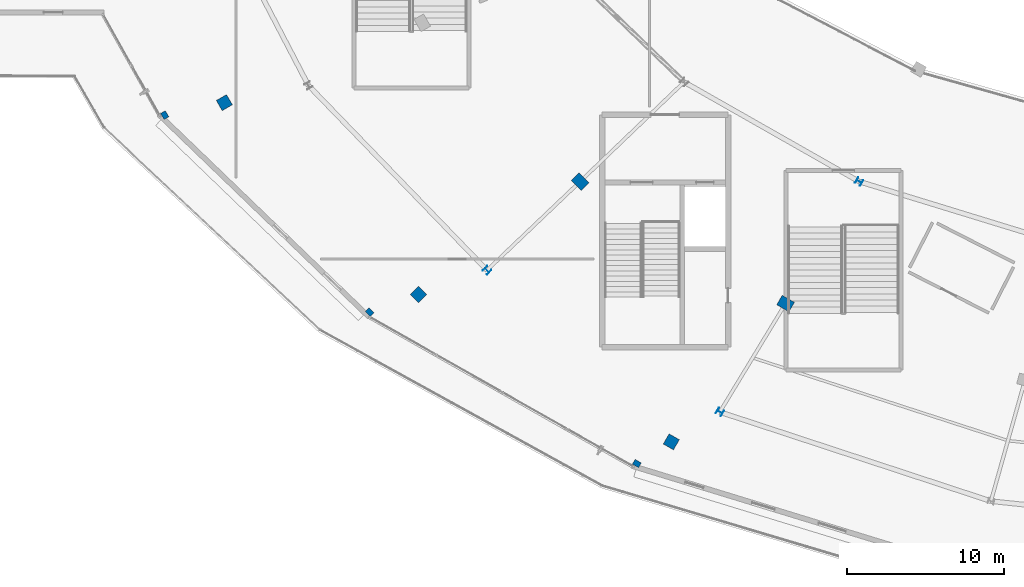
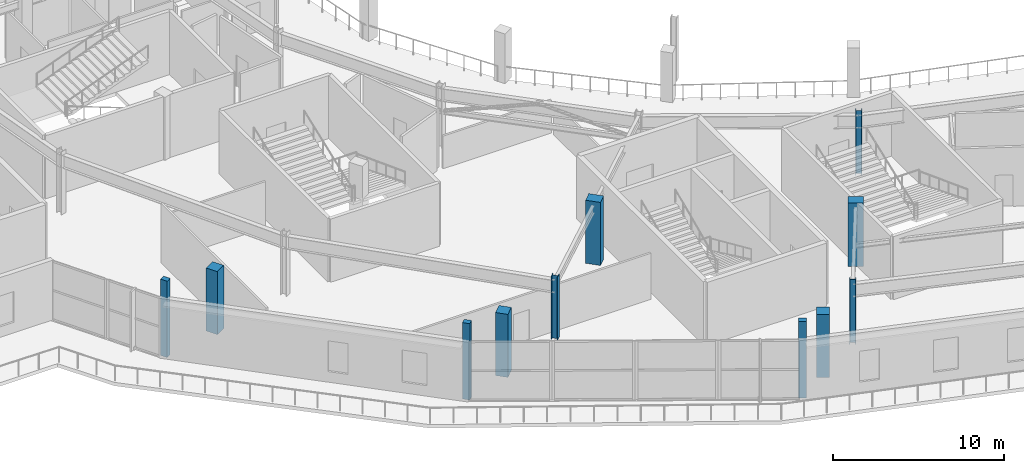
# One storey, part 1 of 123: 11 columns.
"""IFC4 building model written with IfcOpenShell, lengths in metres."""

from ifc_helpers import new_model, si_unit, direction, frame, origin, origin_2d, place, context, subcontext, project, spatial, rectangle, i_section, extrude, material, material_profile, profile_set, type_object, element, save


model = new_model("IFC4")

# Units and contexts
model_context = context("Model", 3, precision=1e-05, world=origin(), true_north=direction((0.0, 1.0)))
body_context = subcontext(model_context, "Body", "Model", "MODEL_VIEW")
ifc_project = project(units=[si_unit("LENGTHUNIT", "METRE"), si_unit("AREAUNIT", "SQUARE_METRE"), si_unit("VOLUMEUNIT", "CUBIC_METRE"), si_unit("PLANEANGLEUNIT", "RADIAN"), si_unit("MASSUNIT", "GRAM", prefix="KILO")], contexts=[model_context])

# Site, building, storey
site_placement = place(None, origin())
site = spatial("IfcSite", under=ifc_project, at=site_placement, CompositionType="ELEMENT")
building_placement = place(site_placement, origin())
building = spatial("IfcBuilding", under=site, at=building_placement, Name="Kalgoora Escarpment Arena", CompositionType="ELEMENT")
storey_placement = place(building_placement, frame((0.0, 0.0, 9.89990234375)))
storey = spatial("IfcBuildingStorey", under=building, at=storey_placement, Name="L02", CompositionType="ELEMENT", Elevation=9.89990234375)

# Columns
ifc_material_1 = material(Name="Structural steel Grade 350 (350 MPa)", Category="steel")
ifc_material_profile_1 = material_profile(ifc_material_1, i_section(OverallWidth=0.39990234375, OverallDepth=0.39990234375, WebThickness=0.01611328125, FlangeThickness=0.028076171875, at=origin_2d()))
ifc_profile_set_1 = profile_set([ifc_material_profile_1], Name="Structural steel Grade 350 (350 MPa)")
column_type_1 = type_object("IfcColumnType", Name="COL-COL-400WC212", PredefinedType="COLUMN", material=ifc_profile_set_1)
for number, where, z_axis, x_axis, name in (
    (1, (41.629638671875, 23.69482421875, 0.0), (0.0, 0.0, 1.0), (-0.707106781187, -0.707106781187, 0.0), "L02 structural column COL-RCONC2-R16"),
    (2, (56.5, 14.63671875, 0.0), (0.0, 0.0, 1.0), (-0.5, -0.866025403784, 0.0), "L02 structural column COL-RCONC2-R17"),
):
    element("IfcColumn", number, at=place(storey_placement, frame(where, z_axis=z_axis, x_axis=x_axis)), inside=storey, type_object=column_type_1, Name=name, PredefinedType="COLUMN", context=body_context, shape_type="SweptSolid", body=[
        extrude(i_section(OverallWidth=0.39990234375, OverallDepth=0.39990234375, WebThickness=0.01611328125, FlangeThickness=0.028076171875, at=origin_2d()), origin(), (0.0, 0.0, 1.0), 4.5),
    ])
ifc_material_2 = material(Name="Structural steel Grade 350 (350 MPa)", Category="steel")
ifc_material_profile_2 = material_profile(ifc_material_2, i_section(OverallWidth=0.39990234375, OverallDepth=0.39990234375, WebThickness=0.01806640625, FlangeThickness=0.031982421875, at=origin_2d()))
ifc_profile_set_2 = profile_set([ifc_material_profile_2], Name="Structural steel Grade 350 (350 MPa)")
column_type_2 = type_object("IfcColumnType", Name="COL-COL-400WC270", PredefinedType="COLUMN", material=ifc_profile_set_2)
column_placement = place(storey_placement, frame((65.39990234375, 29.35888671875, 0.0), z_axis=(0.0, 0.0, 1.0), x_axis=(-0.5, -0.866025403784, 0.0)))
element("IfcColumn", 3, at=column_placement, inside=storey, type_object=column_type_2, Name="L02 structural column COL-RMAIN-R17", PredefinedType="COLUMN", context=body_context, shape_type="SweptSolid", body=[
    extrude(i_section(OverallWidth=0.39990234375, OverallDepth=0.39990234375, WebThickness=0.01806640625, FlangeThickness=0.031982421875, at=origin_2d()), origin(), (0.0, 0.0, 1.0), 4.5),
])
ifc_material_3 = material(Name="Concrete N50 (fc' 50 MPa)", Category="concrete")
ifc_material_profile_3 = material_profile(ifc_material_3, rectangle(XDim=0.75, YDim=0.75, at=origin_2d()))
ifc_profile_set_3 = profile_set([ifc_material_profile_3], Name="Concrete N50 (fc' 50 MPa)")
column_type_3 = type_object("IfcColumnType", Name="COL-COL-RC750x750", PredefinedType="COLUMN", material=ifc_profile_set_3)
for number, where, z_axis, x_axis, name in (
    (4, (24.85009765625, 34.39990234375, 0.0), (0.0, 0.0, 1.0), (-0.866025403784, -0.5, 0.0), "L02 structural column COL-RBASE1-R15"),
    (5, (37.24560546875, 22.139404296875, 0.0), (0.0, 0.0, 1.0), (-0.707106781187, -0.707106781187, 0.0), "L02 structural column COL-RBASE1-R16"),
    (6, (53.39990234375, 12.731201171875, 0.0), (0.0, 0.0, 1.0), (-0.5, -0.866025403784, 0.0), "L02 structural column COL-RBASE1-R17"),
):
    element("IfcColumn", number, at=place(storey_placement, frame(where, z_axis=z_axis, x_axis=x_axis)), inside=storey, type_object=column_type_3, Name=name, PredefinedType="COLUMN", context=body_context, shape_type="SweptSolid", body=[
        extrude(rectangle(XDim=0.75, YDim=0.75, at=origin_2d()), origin(), (0.0, 0.0, 1.0), 4.5),
    ])
ifc_material_4 = material(Name="Concrete N50 (fc' 50 MPa)", Category="concrete")
ifc_material_profile_4 = material_profile(ifc_material_4, rectangle(XDim=0.699951171875, YDim=0.89990234375, at=origin_2d()))
ifc_profile_set_4 = profile_set([ifc_material_profile_4], Name="Concrete N50 (fc' 50 MPa)")
column_type_4 = type_object("IfcColumnType", Name="COL-COL-RC900x700", PredefinedType="COLUMN", material=ifc_profile_set_4)
for number, where, z_axis, x_axis, name in (
    (7, (47.5693359375, 29.351806640625, 0.0), (0.0, 0.0, 1.0), (-0.707106781187, -0.707106781187, 0.0), "L02 structural column COL-RCONC1-R16"),
    (8, (60.699951171875, 21.564697265625, 0.0), (0.0, 0.0, 1.0), (-0.5, -0.866025403784, 0.0), "L02 structural column COL-RCONC1-R17"),
):
    element("IfcColumn", number, at=place(storey_placement, frame(where, z_axis=z_axis, x_axis=x_axis)), inside=storey, type_object=column_type_4, Name=name, PredefinedType="COLUMN", context=body_context, shape_type="SweptSolid", body=[
        extrude(rectangle(XDim=0.699951171875, YDim=0.89990234375, at=origin_2d()), origin(), (0.0, 0.0, 1.0), 4.5),
    ])
ifc_material_5 = material(Name="Precast concrete N50 (fc' 50 MPa)", Category="concrete")
ifc_material_profile_5 = material_profile(ifc_material_5, rectangle(XDim=0.35009765625, YDim=0.449951171875, at=origin_2d()))
ifc_profile_set_5 = profile_set([ifc_material_profile_5], Name="Precast concrete N50 (fc' 50 MPa)")
column_type_5 = type_object("IfcColumnType", Name="COL-PIL-PC-PILASTER-450x350", PredefinedType="PILASTER", material=ifc_profile_set_5)
for number, where, z_axis, x_axis, name in (
    (9, (21.0400390625, 33.60009765625, 0.0), (0.0, 0.0, 1.0), (-0.866025403784, -0.5, 0.0), "L02 fluted pilaster PIL-060"),
    (10, (34.134033203125, 21.008056640625, 0.0), (0.0, 0.0, 1.0), (-0.707106781187, -0.707106781187, 0.0), "L02 fluted pilaster PIL-061"),
    (11, (51.199951171875, 11.345947265625, 0.0), (0.0, 0.0, 1.0), (-0.5, -0.866025403784, 0.0), "L02 fluted pilaster PIL-062"),
):
    element("IfcColumn", number, at=place(storey_placement, frame(where, z_axis=z_axis, x_axis=x_axis)), inside=storey, type_object=column_type_5, Name=name, PredefinedType="PILASTER", context=body_context, shape_type="SweptSolid", body=[
        extrude(rectangle(XDim=0.35009765625, YDim=0.449951171875, at=origin_2d()), origin(), (0.0, 0.0, 1.0), 5.4501953125),
    ])

save(model, "model.ifc")
